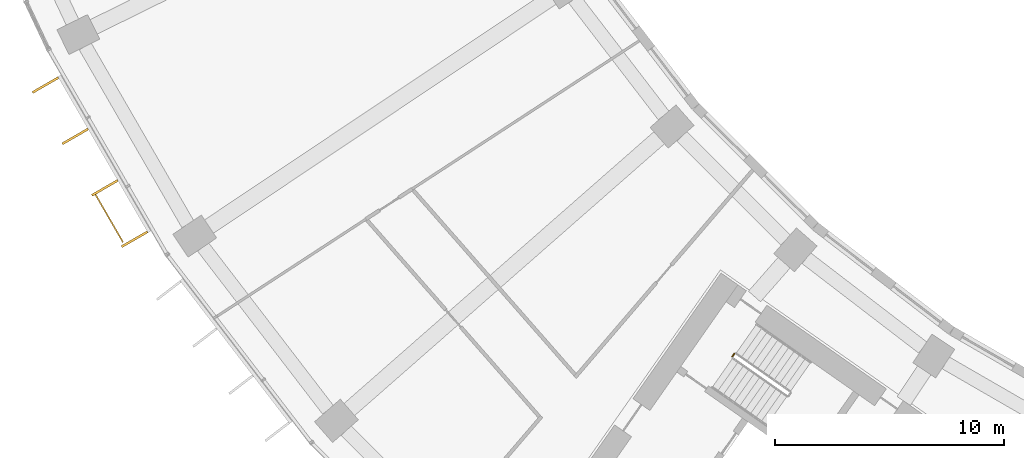
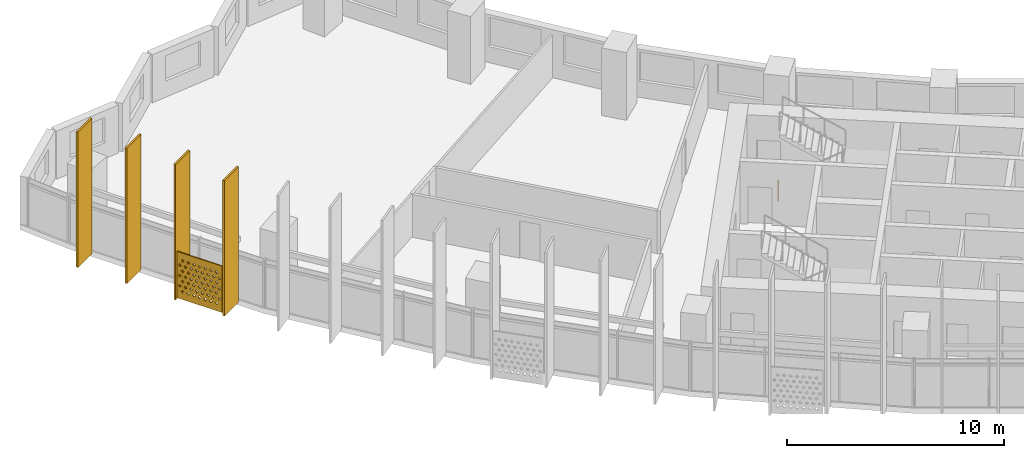
# One storey, part 26 of 30: 5 shading devices, 1 railing.
"""IFC4 building model written with IfcOpenShell, lengths in metres."""

from ifc_helpers import new_model, si_unit, direction, frame, origin, origin_2d, place, context, subcontext, project, spatial, polyline, rectangle, circle, outline, extrude, material, material_profile, profile_set, type_object, element, save


model = new_model("IFC4")

# Units and contexts
model_context = context("Model", 3, precision=1e-05, world=origin(), true_north=direction((0.0, 1.0)))
body_context = subcontext(model_context, "Body", "Model", "MODEL_VIEW")
ifc_project = project(units=[si_unit("LENGTHUNIT", "METRE"), si_unit("AREAUNIT", "SQUARE_METRE"), si_unit("VOLUMEUNIT", "CUBIC_METRE"), si_unit("PLANEANGLEUNIT", "RADIAN"), si_unit("MASSUNIT", "GRAM", prefix="KILO")], contexts=[model_context])

# Site, building, storey
site_placement = place(None, origin())
site = spatial("IfcSite", under=ifc_project, at=site_placement, CompositionType="ELEMENT")
building_placement = place(site_placement, origin())
building = spatial("IfcBuilding", under=site, at=building_placement, Name="Qamariyya Broadcast Tower", CompositionType="ELEMENT")
storey_placement = place(building_placement, frame((0.0, 0.0, 117.699951171875)))
storey = spatial("IfcBuildingStorey", under=building, at=storey_placement, Name="L26", CompositionType="ELEMENT", Elevation=117.699951171875)

# Shading device
ifc_material_1 = material(Name="Perforated glazed terracotta", Category="masonry")
ifc_material_profile_1 = material_profile(ifc_material_1, outline(polyline([(-1.199951171875, -1.300048828125), (1.199951171875, -1.300048828125), (1.199951171875, 1.300048828125), (-1.199951171875, 1.300048828125), (-1.199951171875, -1.300048828125)]), holes=[polyline([(-0.81494140625, -0.86669921875), (-0.89990234375, -0.78173828125), (-0.985107421875, -0.86669921875), (-0.89990234375, -0.95166015625), (-0.81494140625, -0.86669921875)]), polyline([(-0.514892578125, -0.86669921875), (-0.60009765625, -0.78173828125), (-0.68505859375, -0.86669921875), (-0.60009765625, -0.95166015625), (-0.514892578125, -0.86669921875)]), polyline([(-0.215087890625, -0.86669921875), (-0.300048828125, -0.78173828125), (-0.385009765625, -0.86669921875), (-0.300048828125, -0.95166015625), (-0.215087890625, -0.86669921875)]), polyline([(0.0849609375, -0.86669921875), (0.0, -0.78173828125), (-0.0849609375, -0.86669921875), (0.0, -0.95166015625), (0.0849609375, -0.86669921875)]), polyline([(0.385009765625, -0.86669921875), (0.300048828125, -0.78173828125), (0.215087890625, -0.86669921875), (0.300048828125, -0.95166015625), (0.385009765625, -0.86669921875)]), polyline([(0.68505859375, -0.86669921875), (0.60009765625, -0.78173828125), (0.514892578125, -0.86669921875), (0.60009765625, -0.95166015625), (0.68505859375, -0.86669921875)]), polyline([(0.985107421875, -0.86669921875), (0.89990234375, -0.78173828125), (0.81494140625, -0.86669921875), (0.89990234375, -0.95166015625), (0.985107421875, -0.86669921875)]), polyline([(-0.965087890625, -0.577880859375), (-1.050048828125, -0.49267578125), (-1.135009765625, -0.577880859375), (-1.050048828125, -0.662841796875), (-0.965087890625, -0.577880859375)]), polyline([(-0.6650390625, -0.577880859375), (-0.75, -0.49267578125), (-0.8349609375, -0.577880859375), (-0.75, -0.662841796875), (-0.6650390625, -0.577880859375)]), polyline([(-0.364990234375, -0.577880859375), (-0.449951171875, -0.49267578125), (-0.534912109375, -0.577880859375), (-0.449951171875, -0.662841796875), (-0.364990234375, -0.577880859375)]), polyline([(-0.06494140625, -0.577880859375), (-0.14990234375, -0.49267578125), (-0.235107421875, -0.577880859375), (-0.14990234375, -0.662841796875), (-0.06494140625, -0.577880859375)]), polyline([(0.235107421875, -0.577880859375), (0.14990234375, -0.49267578125), (0.06494140625, -0.577880859375), (0.14990234375, -0.662841796875), (0.235107421875, -0.577880859375)]), polyline([(0.534912109375, -0.577880859375), (0.449951171875, -0.49267578125), (0.364990234375, -0.577880859375), (0.449951171875, -0.662841796875), (0.534912109375, -0.577880859375)]), polyline([(0.8349609375, -0.577880859375), (0.75, -0.49267578125), (0.6650390625, -0.577880859375), (0.75, -0.662841796875), (0.8349609375, -0.577880859375)]), polyline([(1.135009765625, -0.577880859375), (1.050048828125, -0.49267578125), (0.965087890625, -0.577880859375), (1.050048828125, -0.662841796875), (1.135009765625, -0.577880859375)]), polyline([(-0.81494140625, -0.288818359375), (-0.89990234375, -0.203857421875), (-0.985107421875, -0.288818359375), (-0.89990234375, -0.373779296875), (-0.81494140625, -0.288818359375)]), polyline([(-0.514892578125, -0.288818359375), (-0.60009765625, -0.203857421875), (-0.68505859375, -0.288818359375), (-0.60009765625, -0.373779296875), (-0.514892578125, -0.288818359375)]), polyline([(-0.215087890625, -0.288818359375), (-0.300048828125, -0.203857421875), (-0.385009765625, -0.288818359375), (-0.300048828125, -0.373779296875), (-0.215087890625, -0.288818359375)]), polyline([(0.0849609375, -0.288818359375), (0.0, -0.203857421875), (-0.0849609375, -0.288818359375), (0.0, -0.373779296875), (0.0849609375, -0.288818359375)]), polyline([(0.385009765625, -0.288818359375), (0.300048828125, -0.203857421875), (0.215087890625, -0.288818359375), (0.300048828125, -0.373779296875), (0.385009765625, -0.288818359375)]), polyline([(0.68505859375, -0.288818359375), (0.60009765625, -0.203857421875), (0.514892578125, -0.288818359375), (0.60009765625, -0.373779296875), (0.68505859375, -0.288818359375)]), polyline([(0.985107421875, -0.288818359375), (0.89990234375, -0.203857421875), (0.81494140625, -0.288818359375), (0.89990234375, -0.373779296875), (0.985107421875, -0.288818359375)]), polyline([(-0.965087890625, 0.0), (-1.050048828125, 0.0849609375), (-1.135009765625, 0.0), (-1.050048828125, -0.0849609375), (-0.965087890625, 0.0)]), polyline([(-0.6650390625, 0.0), (-0.75, 0.0849609375), (-0.8349609375, 0.0), (-0.75, -0.0849609375), (-0.6650390625, 0.0)]), polyline([(-0.364990234375, 0.0), (-0.449951171875, 0.0849609375), (-0.534912109375, 0.0), (-0.449951171875, -0.0849609375), (-0.364990234375, 0.0)]), polyline([(-0.06494140625, 0.0), (-0.14990234375, 0.0849609375), (-0.235107421875, 0.0), (-0.14990234375, -0.0849609375), (-0.06494140625, 0.0)]), polyline([(0.235107421875, 0.0), (0.14990234375, 0.0849609375), (0.06494140625, 0.0), (0.14990234375, -0.0849609375), (0.235107421875, 0.0)]), polyline([(0.534912109375, 0.0), (0.449951171875, 0.0849609375), (0.364990234375, 0.0), (0.449951171875, -0.0849609375), (0.534912109375, 0.0)]), polyline([(0.8349609375, 0.0), (0.75, 0.0849609375), (0.6650390625, 0.0), (0.75, -0.0849609375), (0.8349609375, 0.0)]), polyline([(1.135009765625, 0.0), (1.050048828125, 0.0849609375), (0.965087890625, 0.0), (1.050048828125, -0.0849609375), (1.135009765625, 0.0)]), polyline([(-0.81494140625, 0.288818359375), (-0.89990234375, 0.373779296875), (-0.985107421875, 0.288818359375), (-0.89990234375, 0.203857421875), (-0.81494140625, 0.288818359375)]), polyline([(-0.514892578125, 0.288818359375), (-0.60009765625, 0.373779296875), (-0.68505859375, 0.288818359375), (-0.60009765625, 0.203857421875), (-0.514892578125, 0.288818359375)]), polyline([(-0.215087890625, 0.288818359375), (-0.300048828125, 0.373779296875), (-0.385009765625, 0.288818359375), (-0.300048828125, 0.203857421875), (-0.215087890625, 0.288818359375)]), polyline([(0.0849609375, 0.288818359375), (0.0, 0.373779296875), (-0.0849609375, 0.288818359375), (0.0, 0.203857421875), (0.0849609375, 0.288818359375)]), polyline([(0.385009765625, 0.288818359375), (0.300048828125, 0.373779296875), (0.215087890625, 0.288818359375), (0.300048828125, 0.203857421875), (0.385009765625, 0.288818359375)]), polyline([(0.68505859375, 0.288818359375), (0.60009765625, 0.373779296875), (0.514892578125, 0.288818359375), (0.60009765625, 0.203857421875), (0.68505859375, 0.288818359375)]), polyline([(0.985107421875, 0.288818359375), (0.89990234375, 0.373779296875), (0.81494140625, 0.288818359375), (0.89990234375, 0.203857421875), (0.985107421875, 0.288818359375)]), polyline([(-0.965087890625, 0.577880859375), (-1.050048828125, 0.662841796875), (-1.135009765625, 0.577880859375), (-1.050048828125, 0.49267578125), (-0.965087890625, 0.577880859375)]), polyline([(-0.6650390625, 0.577880859375), (-0.75, 0.662841796875), (-0.8349609375, 0.577880859375), (-0.75, 0.49267578125), (-0.6650390625, 0.577880859375)]), polyline([(-0.364990234375, 0.577880859375), (-0.449951171875, 0.662841796875), (-0.534912109375, 0.577880859375), (-0.449951171875, 0.49267578125), (-0.364990234375, 0.577880859375)]), polyline([(-0.06494140625, 0.577880859375), (-0.14990234375, 0.662841796875), (-0.235107421875, 0.577880859375), (-0.14990234375, 0.49267578125), (-0.06494140625, 0.577880859375)]), polyline([(0.235107421875, 0.577880859375), (0.14990234375, 0.662841796875), (0.06494140625, 0.577880859375), (0.14990234375, 0.49267578125), (0.235107421875, 0.577880859375)]), polyline([(0.534912109375, 0.577880859375), (0.449951171875, 0.662841796875), (0.364990234375, 0.577880859375), (0.449951171875, 0.49267578125), (0.534912109375, 0.577880859375)]), polyline([(0.8349609375, 0.577880859375), (0.75, 0.662841796875), (0.6650390625, 0.577880859375), (0.75, 0.49267578125), (0.8349609375, 0.577880859375)]), polyline([(1.135009765625, 0.577880859375), (1.050048828125, 0.662841796875), (0.965087890625, 0.577880859375), (1.050048828125, 0.49267578125), (1.135009765625, 0.577880859375)]), polyline([(-0.81494140625, 0.86669921875), (-0.89990234375, 0.95166015625), (-0.985107421875, 0.86669921875), (-0.89990234375, 0.78173828125), (-0.81494140625, 0.86669921875)]), polyline([(-0.514892578125, 0.86669921875), (-0.60009765625, 0.95166015625), (-0.68505859375, 0.86669921875), (-0.60009765625, 0.78173828125), (-0.514892578125, 0.86669921875)]), polyline([(-0.215087890625, 0.86669921875), (-0.300048828125, 0.95166015625), (-0.385009765625, 0.86669921875), (-0.300048828125, 0.78173828125), (-0.215087890625, 0.86669921875)]), polyline([(0.0849609375, 0.86669921875), (0.0, 0.95166015625), (-0.0849609375, 0.86669921875), (0.0, 0.78173828125), (0.0849609375, 0.86669921875)]), polyline([(0.385009765625, 0.86669921875), (0.300048828125, 0.95166015625), (0.215087890625, 0.86669921875), (0.300048828125, 0.78173828125), (0.385009765625, 0.86669921875)]), polyline([(0.68505859375, 0.86669921875), (0.60009765625, 0.95166015625), (0.514892578125, 0.86669921875), (0.60009765625, 0.78173828125), (0.68505859375, 0.86669921875)]), polyline([(0.985107421875, 0.86669921875), (0.89990234375, 0.95166015625), (0.81494140625, 0.86669921875), (0.89990234375, 0.78173828125), (0.985107421875, 0.86669921875)])]))
ifc_profile_set_1 = profile_set([ifc_material_profile_1], Name="Perforated glazed terracotta")
shading_device_type_1 = type_object("IfcShadingDeviceType", Name="Perforated terracotta screen 2400 x 2600", PredefinedType="USERDEFINED", material=ifc_profile_set_1)
shading_device_placement = place(storey_placement, frame((-68.355224609375, -42.405517578125, 1.35009765625), z_axis=(-0.865982457891, -0.500074377092, 0.0), x_axis=(0.500074377092, -0.865982457891, 0.0)))
element("IfcShadingDevice", 1, at=shading_device_placement, inside=storey, type_object=shading_device_type_1, Name="e-scr-L26-01-2", ObjectType="SCREEN", PredefinedType="USERDEFINED", context=body_context, shape_type="SweptSolid", body=[
    extrude(outline(polyline([(-1.199951171875, -1.300048828125), (1.199951171875, -1.300048828125), (1.199951171875, 1.300048828125), (-1.199951171875, 1.300048828125), (-1.199951171875, -1.300048828125)]), holes=[polyline([(-0.81494140625, -0.86669921875), (-0.89990234375, -0.78173828125), (-0.985107421875, -0.86669921875), (-0.89990234375, -0.95166015625), (-0.81494140625, -0.86669921875)]), polyline([(-0.514892578125, -0.86669921875), (-0.60009765625, -0.78173828125), (-0.68505859375, -0.86669921875), (-0.60009765625, -0.95166015625), (-0.514892578125, -0.86669921875)]), polyline([(-0.215087890625, -0.86669921875), (-0.300048828125, -0.78173828125), (-0.385009765625, -0.86669921875), (-0.300048828125, -0.95166015625), (-0.215087890625, -0.86669921875)]), polyline([(0.0849609375, -0.86669921875), (0.0, -0.78173828125), (-0.0849609375, -0.86669921875), (0.0, -0.95166015625), (0.0849609375, -0.86669921875)]), polyline([(0.385009765625, -0.86669921875), (0.300048828125, -0.78173828125), (0.215087890625, -0.86669921875), (0.300048828125, -0.95166015625), (0.385009765625, -0.86669921875)]), polyline([(0.68505859375, -0.86669921875), (0.60009765625, -0.78173828125), (0.514892578125, -0.86669921875), (0.60009765625, -0.95166015625), (0.68505859375, -0.86669921875)]), polyline([(0.985107421875, -0.86669921875), (0.89990234375, -0.78173828125), (0.81494140625, -0.86669921875), (0.89990234375, -0.95166015625), (0.985107421875, -0.86669921875)]), polyline([(-0.965087890625, -0.577880859375), (-1.050048828125, -0.49267578125), (-1.135009765625, -0.577880859375), (-1.050048828125, -0.662841796875), (-0.965087890625, -0.577880859375)]), polyline([(-0.6650390625, -0.577880859375), (-0.75, -0.49267578125), (-0.8349609375, -0.577880859375), (-0.75, -0.662841796875), (-0.6650390625, -0.577880859375)]), polyline([(-0.364990234375, -0.577880859375), (-0.449951171875, -0.49267578125), (-0.534912109375, -0.577880859375), (-0.449951171875, -0.662841796875), (-0.364990234375, -0.577880859375)]), polyline([(-0.06494140625, -0.577880859375), (-0.14990234375, -0.49267578125), (-0.235107421875, -0.577880859375), (-0.14990234375, -0.662841796875), (-0.06494140625, -0.577880859375)]), polyline([(0.235107421875, -0.577880859375), (0.14990234375, -0.49267578125), (0.06494140625, -0.577880859375), (0.14990234375, -0.662841796875), (0.235107421875, -0.577880859375)]), polyline([(0.534912109375, -0.577880859375), (0.449951171875, -0.49267578125), (0.364990234375, -0.577880859375), (0.449951171875, -0.662841796875), (0.534912109375, -0.577880859375)]), polyline([(0.8349609375, -0.577880859375), (0.75, -0.49267578125), (0.6650390625, -0.577880859375), (0.75, -0.662841796875), (0.8349609375, -0.577880859375)]), polyline([(1.135009765625, -0.577880859375), (1.050048828125, -0.49267578125), (0.965087890625, -0.577880859375), (1.050048828125, -0.662841796875), (1.135009765625, -0.577880859375)]), polyline([(-0.81494140625, -0.288818359375), (-0.89990234375, -0.203857421875), (-0.985107421875, -0.288818359375), (-0.89990234375, -0.373779296875), (-0.81494140625, -0.288818359375)]), polyline([(-0.514892578125, -0.288818359375), (-0.60009765625, -0.203857421875), (-0.68505859375, -0.288818359375), (-0.60009765625, -0.373779296875), (-0.514892578125, -0.288818359375)]), polyline([(-0.215087890625, -0.288818359375), (-0.300048828125, -0.203857421875), (-0.385009765625, -0.288818359375), (-0.300048828125, -0.373779296875), (-0.215087890625, -0.288818359375)]), polyline([(0.0849609375, -0.288818359375), (0.0, -0.203857421875), (-0.0849609375, -0.288818359375), (0.0, -0.373779296875), (0.0849609375, -0.288818359375)]), polyline([(0.385009765625, -0.288818359375), (0.300048828125, -0.203857421875), (0.215087890625, -0.288818359375), (0.300048828125, -0.373779296875), (0.385009765625, -0.288818359375)]), polyline([(0.68505859375, -0.288818359375), (0.60009765625, -0.203857421875), (0.514892578125, -0.288818359375), (0.60009765625, -0.373779296875), (0.68505859375, -0.288818359375)]), polyline([(0.985107421875, -0.288818359375), (0.89990234375, -0.203857421875), (0.81494140625, -0.288818359375), (0.89990234375, -0.373779296875), (0.985107421875, -0.288818359375)]), polyline([(-0.965087890625, 0.0), (-1.050048828125, 0.0849609375), (-1.135009765625, 0.0), (-1.050048828125, -0.0849609375), (-0.965087890625, 0.0)]), polyline([(-0.6650390625, 0.0), (-0.75, 0.0849609375), (-0.8349609375, 0.0), (-0.75, -0.0849609375), (-0.6650390625, 0.0)]), polyline([(-0.364990234375, 0.0), (-0.449951171875, 0.0849609375), (-0.534912109375, 0.0), (-0.449951171875, -0.0849609375), (-0.364990234375, 0.0)]), polyline([(-0.06494140625, 0.0), (-0.14990234375, 0.0849609375), (-0.235107421875, 0.0), (-0.14990234375, -0.0849609375), (-0.06494140625, 0.0)]), polyline([(0.235107421875, 0.0), (0.14990234375, 0.0849609375), (0.06494140625, 0.0), (0.14990234375, -0.0849609375), (0.235107421875, 0.0)]), polyline([(0.534912109375, 0.0), (0.449951171875, 0.0849609375), (0.364990234375, 0.0), (0.449951171875, -0.0849609375), (0.534912109375, 0.0)]), polyline([(0.8349609375, 0.0), (0.75, 0.0849609375), (0.6650390625, 0.0), (0.75, -0.0849609375), (0.8349609375, 0.0)]), polyline([(1.135009765625, 0.0), (1.050048828125, 0.0849609375), (0.965087890625, 0.0), (1.050048828125, -0.0849609375), (1.135009765625, 0.0)]), polyline([(-0.81494140625, 0.288818359375), (-0.89990234375, 0.373779296875), (-0.985107421875, 0.288818359375), (-0.89990234375, 0.203857421875), (-0.81494140625, 0.288818359375)]), polyline([(-0.514892578125, 0.288818359375), (-0.60009765625, 0.373779296875), (-0.68505859375, 0.288818359375), (-0.60009765625, 0.203857421875), (-0.514892578125, 0.288818359375)]), polyline([(-0.215087890625, 0.288818359375), (-0.300048828125, 0.373779296875), (-0.385009765625, 0.288818359375), (-0.300048828125, 0.203857421875), (-0.215087890625, 0.288818359375)]), polyline([(0.0849609375, 0.288818359375), (0.0, 0.373779296875), (-0.0849609375, 0.288818359375), (0.0, 0.203857421875), (0.0849609375, 0.288818359375)]), polyline([(0.385009765625, 0.288818359375), (0.300048828125, 0.373779296875), (0.215087890625, 0.288818359375), (0.300048828125, 0.203857421875), (0.385009765625, 0.288818359375)]), polyline([(0.68505859375, 0.288818359375), (0.60009765625, 0.373779296875), (0.514892578125, 0.288818359375), (0.60009765625, 0.203857421875), (0.68505859375, 0.288818359375)]), polyline([(0.985107421875, 0.288818359375), (0.89990234375, 0.373779296875), (0.81494140625, 0.288818359375), (0.89990234375, 0.203857421875), (0.985107421875, 0.288818359375)]), polyline([(-0.965087890625, 0.577880859375), (-1.050048828125, 0.662841796875), (-1.135009765625, 0.577880859375), (-1.050048828125, 0.49267578125), (-0.965087890625, 0.577880859375)]), polyline([(-0.6650390625, 0.577880859375), (-0.75, 0.662841796875), (-0.8349609375, 0.577880859375), (-0.75, 0.49267578125), (-0.6650390625, 0.577880859375)]), polyline([(-0.364990234375, 0.577880859375), (-0.449951171875, 0.662841796875), (-0.534912109375, 0.577880859375), (-0.449951171875, 0.49267578125), (-0.364990234375, 0.577880859375)]), polyline([(-0.06494140625, 0.577880859375), (-0.14990234375, 0.662841796875), (-0.235107421875, 0.577880859375), (-0.14990234375, 0.49267578125), (-0.06494140625, 0.577880859375)]), polyline([(0.235107421875, 0.577880859375), (0.14990234375, 0.662841796875), (0.06494140625, 0.577880859375), (0.14990234375, 0.49267578125), (0.235107421875, 0.577880859375)]), polyline([(0.534912109375, 0.577880859375), (0.449951171875, 0.662841796875), (0.364990234375, 0.577880859375), (0.449951171875, 0.49267578125), (0.534912109375, 0.577880859375)]), polyline([(0.8349609375, 0.577880859375), (0.75, 0.662841796875), (0.6650390625, 0.577880859375), (0.75, 0.49267578125), (0.8349609375, 0.577880859375)]), polyline([(1.135009765625, 0.577880859375), (1.050048828125, 0.662841796875), (0.965087890625, 0.577880859375), (1.050048828125, 0.49267578125), (1.135009765625, 0.577880859375)]), polyline([(-0.81494140625, 0.86669921875), (-0.89990234375, 0.95166015625), (-0.985107421875, 0.86669921875), (-0.89990234375, 0.78173828125), (-0.81494140625, 0.86669921875)]), polyline([(-0.514892578125, 0.86669921875), (-0.60009765625, 0.95166015625), (-0.68505859375, 0.86669921875), (-0.60009765625, 0.78173828125), (-0.514892578125, 0.86669921875)]), polyline([(-0.215087890625, 0.86669921875), (-0.300048828125, 0.95166015625), (-0.385009765625, 0.86669921875), (-0.300048828125, 0.78173828125), (-0.215087890625, 0.86669921875)]), polyline([(0.0849609375, 0.86669921875), (0.0, 0.95166015625), (-0.0849609375, 0.86669921875), (0.0, 0.78173828125), (0.0849609375, 0.86669921875)]), polyline([(0.385009765625, 0.86669921875), (0.300048828125, 0.95166015625), (0.215087890625, 0.86669921875), (0.300048828125, 0.78173828125), (0.385009765625, 0.86669921875)]), polyline([(0.68505859375, 0.86669921875), (0.60009765625, 0.95166015625), (0.514892578125, 0.86669921875), (0.60009765625, 0.78173828125), (0.68505859375, 0.86669921875)]), polyline([(0.985107421875, 0.86669921875), (0.89990234375, 0.95166015625), (0.81494140625, 0.86669921875), (0.89990234375, 0.78173828125), (0.985107421875, 0.86669921875)])]), origin(), (0.0, 0.0, 1.0), 0.06005859375),
])

# Railing
ifc_material_2 = material(Name="Painted steel", Category="steel")
railing_type = type_object("IfcRailingType", Name="Stair guard", PredefinedType="GUARDRAIL", material=ifc_material_2)
railing_placement = place(storey_placement, frame((-41.158935546875, -48.455322265625, 0.0)))
element("IfcRailing", 2, at=railing_placement, inside=storey, type_object=railing_type, Name="L26 ST-W2 stair guard 3", PredefinedType="GUARDRAIL", context=body_context, shape_type="SweptSolid", body=[
    extrude(circle(Radius=0.02392578125, at=origin_2d()), frame((0.0, 0.0, 1.076171875), z_axis=(0.572588637393, 0.819842821722, 0.0), x_axis=(-0.819842821722, 0.572588637393, 0.0)), (0.0, 0.0, 1.0), 0.150146484375),
    extrude(circle(Radius=0.02099609375, at=origin_2d()), origin(), (0.0, 0.0, 1.0), 1.052001953125),
    extrude(circle(Radius=0.02099609375, at=origin_2d()), frame((0.0859375, 0.123046875, 0.0)), (0.0, 0.0, 1.0), 1.052001953125),
])

# Shading devices
ifc_material_3 = material(Name="Glazed terracotta", Category="masonry")
ifc_material_profile_2 = material_profile(ifc_material_3, rectangle(XDim=1.300048828125, YDim=0.10009765625, at=origin_2d()))
ifc_profile_set_2 = profile_set([ifc_material_profile_2], Name="Glazed terracotta")
shading_device_type_2 = type_object("IfcShadingDeviceType", Name="Terracotta fin 100 x 1300", PredefinedType="USERDEFINED", material=ifc_profile_set_2)
for number, where, z_axis, x_axis, name in (
    (3, (-71.16650390625, -36.596435546875, 0.0), (0.0, 0.0, 1.0), (-0.866025403784, -0.5, 0.0), "e-fin-L26-01-0"),
    (4, (-69.869873046875, -38.84228515625, 0.0), (0.0, 0.0, 1.0), (-0.866025403784, -0.5, 0.0), "e-fin-L26-01-1"),
    (5, (-68.5732421875, -41.087890625, 0.0), (0.0, 0.0, 1.0), (-0.866025403784, -0.5, 0.0), "e-fin-L26-01-2"),
    (6, (-67.276611328125, -43.333740234375, 0.0), (0.0, 0.0, 1.0), (-0.866025403784, -0.5, 0.0), "e-fin-L26-01-3"),
):
    element("IfcShadingDevice", number, at=place(storey_placement, frame(where, z_axis=z_axis, x_axis=x_axis)), inside=storey, type_object=shading_device_type_2, Name=name, ObjectType="FIN", PredefinedType="USERDEFINED", context=body_context, shape_type="SweptSolid", body=[
        extrude(rectangle(XDim=1.300048828125, YDim=0.10009765625, at=origin_2d()), origin(), (0.0, 0.0, 1.0), 7.60009765625),
    ])

save(model, "model.ifc")
